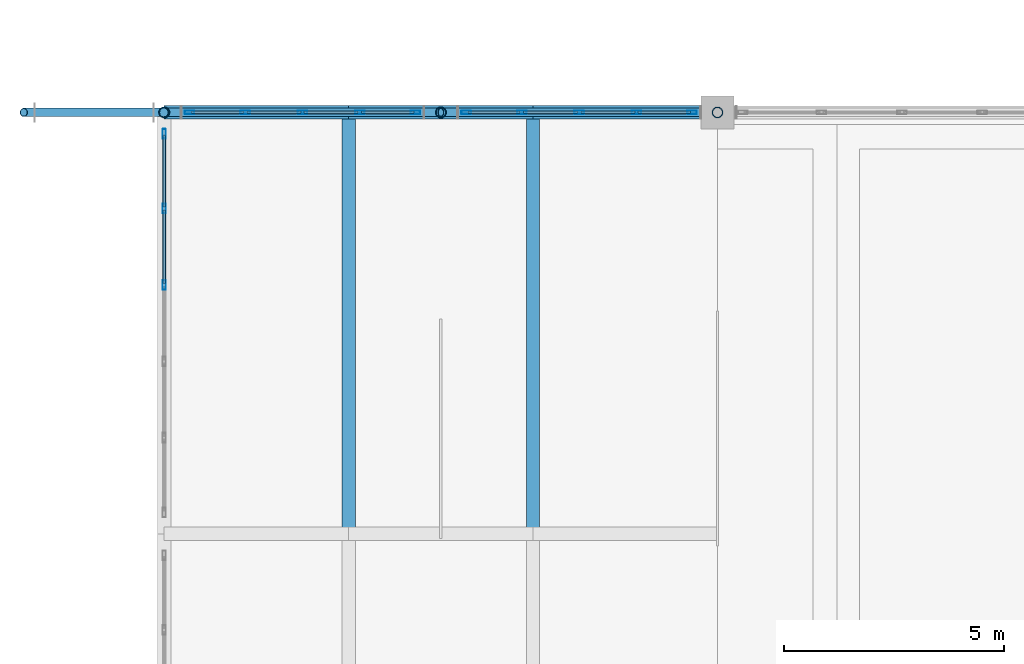
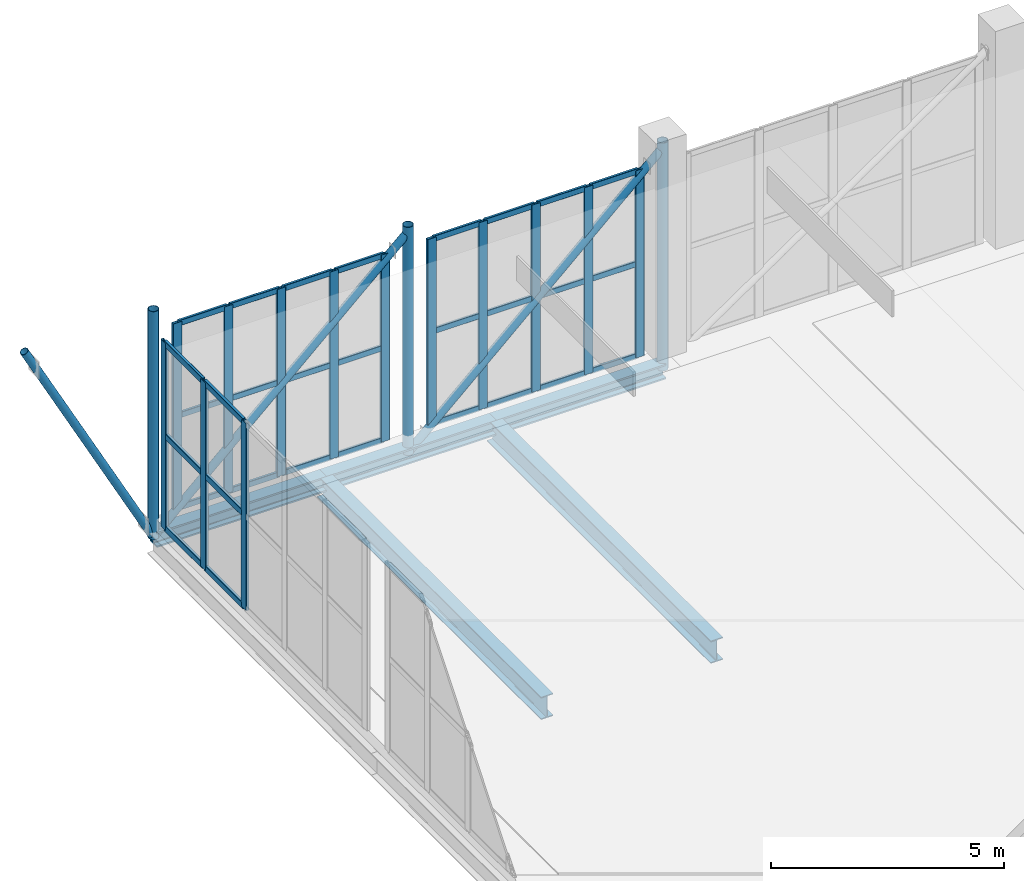
# One storey, part 11 of 49: 52 members, 2 beams, 3 elements without a shape of their own.
"""IFC4 building model written with IfcOpenShell, lengths in metres."""

from ifc_helpers import new_model, si_unit, direction, frame, origin, origin_2d, place, context, subcontext, project, spatial, hollow_rectangle, hollow_circle, i_section, extrude, material, layer, layer_set, material_profile, profile_set, type_object, element, aggregate, save


model = new_model("IFC4")

# Units and contexts
model_context = context("Model", 3, precision=1e-05, world=origin(), true_north=direction((0.0, 1.0)))
body_context = subcontext(model_context, "Body", "Model", "MODEL_VIEW")
ifc_project = project(units=[si_unit("LENGTHUNIT", "METRE"), si_unit("AREAUNIT", "SQUARE_METRE"), si_unit("VOLUMEUNIT", "CUBIC_METRE"), si_unit("PLANEANGLEUNIT", "RADIAN"), si_unit("MASSUNIT", "GRAM", prefix="KILO")], contexts=[model_context])

# Site, building, storey
site_placement = place(None, origin())
site = spatial("IfcSite", under=ifc_project, at=site_placement, CompositionType="ELEMENT")
building_placement = place(site_placement, origin())
building = spatial("IfcBuilding", under=site, at=building_placement, Name="Zulmaris Art Gallery", CompositionType="ELEMENT")
storey_placement = place(building_placement, frame((0.0, 0.0, 20.699951171875)))
storey = spatial("IfcBuildingStorey", under=building, at=storey_placement, Name="L04", CompositionType="ELEMENT", Elevation=20.699951171875)

# Beams
ifc_material_1 = material(Name="Steel S355J2", Category="steel")
ifc_material_profile_1 = material_profile(ifc_material_1, i_section(OverallWidth=0.300048828125, OverallDepth=0.590087890625, WebThickness=0.012939453125, FlangeThickness=0.02490234375, FilletRadius=0.027099609375, at=origin_2d()), Name="HEA 600")
ifc_profile_set_1 = profile_set([ifc_material_profile_1], Name="Steel S355J2")
beam_type = type_object("IfcBeamType", Name="BEAM-BM12", PredefinedType="BEAM", material=ifc_profile_set_1)
for number, where, z_axis, x_axis, name in (
    (1, (15.60009765625, 40.800048828125, -0.614990234375), (0.0, 1.0, 0.0), (-1.0, 0.0, 0.0), "L04 cantilever transverse girder at x=15.6"),
    (2, (19.800048828125, 40.800048828125, -0.614990234375), (0.0, 1.0, 0.0), (-1.0, 0.0, 0.0), "L04 cantilever transverse girder at x=19.8"),
):
    element("IfcBeam", number, at=place(storey_placement, frame(where, z_axis=z_axis, x_axis=x_axis)), inside=storey, type_object=beam_type, Name=name, PredefinedType="BEAM", context=body_context, shape_type="SweptSolid", body=[
        extrude(i_section(OverallWidth=0.300048828125, OverallDepth=0.590087890625, WebThickness=0.012939453125, FlangeThickness=0.02490234375, FilletRadius=0.027099609375, at=origin_2d()), origin(), (0.0, 0.0, 1.0), 9.599853515625),
    ])

# Curtain wall, members
ifc_material_2 = material(Name="Unitised Low-E Gallery Curtain Wall", Category="aluminium")
ifc_layer_1 = layer(ifc_material_2, 0.179931640625)
ifc_layer_set_1 = layer_set([ifc_layer_1], Name="Unitised Low-E Gallery Curtain Wall")
curtain_wall_type_1 = type_object("IfcCurtainWallType", Name="CW-CW01", PredefinedType="NOTDEFINED", material=ifc_layer_set_1)
curtain_wall_1_placement = place(storey_placement, origin())
curtain_wall_1 = element("IfcCurtainWall", 3, at=curtain_wall_1_placement, inside=storey, type_object=curtain_wall_type_1, Name="L04 curtain wall 20", PredefinedType="NOTDEFINED")
ifc_material_3 = material(Name="Anodised Bronze Aluminium", Category="aluminium")
ifc_material_profile_2 = material_profile(ifc_material_3, hollow_rectangle(XDim=0.074951171875, YDim=0.219970703125, WallThickness=0.0048828125, InnerFilletRadius=0.007568359375, OuterFilletRadius=0.012451171875, at=origin_2d()), Name="ALU 75x220x5")
ifc_profile_set_2 = profile_set([ifc_material_profile_2], Name="Anodised Bronze Aluminium")
member_type_1 = type_object("IfcMemberType", Name="CWMUL-02", PredefinedType="MULLION", material=ifc_profile_set_2)
member_1_placement = place(storey_placement, frame((17.12255859375, 50.39990234375, 0.0), z_axis=(0.0, 0.0, 1.0), x_axis=(0.0, -1.0, 0.0)))
member_1 = element("IfcMember", 4, at=member_1_placement, type_object=member_type_1, Name="CW01 mullion 1", PredefinedType="MULLION", context=body_context, shape_type="SweptSolid", body=[
    extrude(hollow_rectangle(XDim=0.074951171875, YDim=0.219970703125, WallThickness=0.0048828125, InnerFilletRadius=0.007568359375, OuterFilletRadius=0.012451171875, at=origin_2d()), origin(), (0.0, 0.0, 1.0), 4.900146484375),
])
member_2_placement = place(storey_placement, frame((15.85498046875, 50.39990234375, 0.0), z_axis=(0.0, 0.0, 1.0), x_axis=(0.0, -1.0, 0.0)))
member_2 = element("IfcMember", 5, at=member_2_placement, type_object=member_type_1, Name="CW01 mullion 2", PredefinedType="MULLION", context=body_context, shape_type="SweptSolid", body=[
    extrude(hollow_rectangle(XDim=0.074951171875, YDim=0.219970703125, WallThickness=0.0048828125, InnerFilletRadius=0.007568359375, OuterFilletRadius=0.012451171875, at=origin_2d()), origin(), (0.0, 0.0, 1.0), 4.900146484375),
])
member_3_placement = place(storey_placement, frame((14.550048828125, 50.39990234375, 0.0), z_axis=(0.0, 0.0, 1.0), x_axis=(0.0, -1.0, 0.0)))
member_3 = element("IfcMember", 6, at=member_3_placement, type_object=member_type_1, Name="CW01 mullion 3", PredefinedType="MULLION", context=body_context, shape_type="SweptSolid", body=[
    extrude(hollow_rectangle(XDim=0.074951171875, YDim=0.219970703125, WallThickness=0.0048828125, InnerFilletRadius=0.007568359375, OuterFilletRadius=0.012451171875, at=origin_2d()), origin(), (0.0, 0.0, 1.0), 4.900146484375),
])
member_4_placement = place(storey_placement, frame((13.2451171875, 50.39990234375, 0.0), z_axis=(0.0, 0.0, 1.0), x_axis=(0.0, -1.0, 0.0)))
member_4 = element("IfcMember", 7, at=member_4_placement, type_object=member_type_1, Name="CW01 mullion 4", PredefinedType="MULLION", context=body_context, shape_type="SweptSolid", body=[
    extrude(hollow_rectangle(XDim=0.074951171875, YDim=0.219970703125, WallThickness=0.0048828125, InnerFilletRadius=0.007568359375, OuterFilletRadius=0.012451171875, at=origin_2d()), origin(), (0.0, 0.0, 1.0), 4.900146484375),
])
member_5_placement = place(storey_placement, frame((11.9775390625, 50.39990234375, 0.0), z_axis=(0.0, 0.0, 1.0), x_axis=(0.0, -1.0, 0.0)))
member_5 = element("IfcMember", 8, at=member_5_placement, type_object=member_type_1, Name="CW01 mullion 5", PredefinedType="MULLION", context=body_context, shape_type="SweptSolid", body=[
    extrude(hollow_rectangle(XDim=0.074951171875, YDim=0.219970703125, WallThickness=0.0048828125, InnerFilletRadius=0.007568359375, OuterFilletRadius=0.012451171875, at=origin_2d()), origin(), (0.0, 0.0, 1.0), 4.900146484375),
])

curtain_wall_2_placement = place(storey_placement, origin())
curtain_wall_2 = element("IfcCurtainWall", 9, at=curtain_wall_2_placement, inside=storey, type_object=curtain_wall_type_1, Name="L04 curtain wall 22", PredefinedType="NOTDEFINED")
member_6_placement = place(storey_placement, frame((23.422607421875, 50.39990234375, 0.0), z_axis=(0.0, 0.0, 1.0), x_axis=(0.0, -1.0, 0.0)))
member_6 = element("IfcMember", 10, at=member_6_placement, type_object=member_type_1, Name="CW01 mullion 1", PredefinedType="MULLION", context=body_context, shape_type="SweptSolid", body=[
    extrude(hollow_rectangle(XDim=0.074951171875, YDim=0.219970703125, WallThickness=0.0048828125, InnerFilletRadius=0.007568359375, OuterFilletRadius=0.012451171875, at=origin_2d()), origin(), (0.0, 0.0, 1.0), 4.900146484375),
])
member_7_placement = place(storey_placement, frame((22.155029296875, 50.39990234375, 0.0), z_axis=(0.0, 0.0, 1.0), x_axis=(0.0, -1.0, 0.0)))
member_7 = element("IfcMember", 11, at=member_7_placement, type_object=member_type_1, Name="CW01 mullion 2", PredefinedType="MULLION", context=body_context, shape_type="SweptSolid", body=[
    extrude(hollow_rectangle(XDim=0.074951171875, YDim=0.219970703125, WallThickness=0.0048828125, InnerFilletRadius=0.007568359375, OuterFilletRadius=0.012451171875, at=origin_2d()), origin(), (0.0, 0.0, 1.0), 4.900146484375),
])
member_8_placement = place(storey_placement, frame((20.85009765625, 50.39990234375, 0.0), z_axis=(0.0, 0.0, 1.0), x_axis=(0.0, -1.0, 0.0)))
member_8 = element("IfcMember", 12, at=member_8_placement, type_object=member_type_1, Name="CW01 mullion 3", PredefinedType="MULLION", context=body_context, shape_type="SweptSolid", body=[
    extrude(hollow_rectangle(XDim=0.074951171875, YDim=0.219970703125, WallThickness=0.0048828125, InnerFilletRadius=0.007568359375, OuterFilletRadius=0.012451171875, at=origin_2d()), origin(), (0.0, 0.0, 1.0), 4.900146484375),
])
member_9_placement = place(storey_placement, frame((19.544921875, 50.39990234375, 0.0), z_axis=(0.0, 0.0, 1.0), x_axis=(0.0, -1.0, 0.0)))
member_9 = element("IfcMember", 13, at=member_9_placement, type_object=member_type_1, Name="CW01 mullion 4", PredefinedType="MULLION", context=body_context, shape_type="SweptSolid", body=[
    extrude(hollow_rectangle(XDim=0.074951171875, YDim=0.219970703125, WallThickness=0.0048828125, InnerFilletRadius=0.007568359375, OuterFilletRadius=0.012451171875, at=origin_2d()), origin(), (0.0, 0.0, 1.0), 4.900146484375),
])
member_10_placement = place(storey_placement, frame((18.277587890625, 50.39990234375, 0.0), z_axis=(0.0, 0.0, 1.0), x_axis=(0.0, -1.0, 0.0)))
member_10 = element("IfcMember", 14, at=member_10_placement, type_object=member_type_1, Name="CW01 mullion 5", PredefinedType="MULLION", context=body_context, shape_type="SweptSolid", body=[
    extrude(hollow_rectangle(XDim=0.074951171875, YDim=0.219970703125, WallThickness=0.0048828125, InnerFilletRadius=0.007568359375, OuterFilletRadius=0.012451171875, at=origin_2d()), origin(), (0.0, 0.0, 1.0), 4.900146484375),
])

ifc_material_4 = material(Name="Belvedere Horizon Glazed Curtain Wall", Category="aluminium")
ifc_layer_2 = layer(ifc_material_4, 0.179931640625)
ifc_layer_set_2 = layer_set([ifc_layer_2], Name="Belvedere Horizon Glazed Curtain Wall")
curtain_wall_type_2 = type_object("IfcCurtainWallType", Name="CW-CW02", PredefinedType="NOTDEFINED", material=ifc_layer_set_2)
curtain_wall_3_placement = place(storey_placement, origin())
curtain_wall_3 = element("IfcCurtainWall", 15, at=curtain_wall_3_placement, inside=storey, type_object=curtain_wall_type_2, Name="L04 curtain wall 37", PredefinedType="NOTDEFINED")
member_11_placement = place(storey_placement, frame((11.39990234375, 46.469970703125, 0.0), z_axis=(0.0, 0.0, 1.0), x_axis=(-1.0, 0.0, 0.0)))
member_11 = element("IfcMember", 16, at=member_11_placement, type_object=member_type_1, Name="CW02 mullion 4", PredefinedType="MULLION", context=body_context, shape_type="SweptSolid", body=[
    extrude(hollow_rectangle(XDim=0.074951171875, YDim=0.219970703125, WallThickness=0.0048828125, InnerFilletRadius=0.007568359375, OuterFilletRadius=0.012451171875, at=origin_2d()), origin(), (0.0, 0.0, 1.0), 4.900146484375),
])
member_12_placement = place(storey_placement, frame((11.39990234375, 48.2099609375, 0.0), z_axis=(0.0, 0.0, 1.0), x_axis=(-1.0, 0.0, 0.0)))
member_12 = element("IfcMember", 17, at=member_12_placement, type_object=member_type_1, Name="CW02 mullion 5", PredefinedType="MULLION", context=body_context, shape_type="SweptSolid", body=[
    extrude(hollow_rectangle(XDim=0.074951171875, YDim=0.219970703125, WallThickness=0.0048828125, InnerFilletRadius=0.007568359375, OuterFilletRadius=0.012451171875, at=origin_2d()), origin(), (0.0, 0.0, 1.0), 4.900146484375),
])
member_13_placement = place(storey_placement, frame((11.39990234375, 49.91259765625, 0.0), z_axis=(0.0, 0.0, 1.0), x_axis=(-1.0, 0.0, 0.0)))
member_13 = element("IfcMember", 18, at=member_13_placement, type_object=member_type_1, Name="CW02 mullion 6", PredefinedType="MULLION", context=body_context, shape_type="SweptSolid", body=[
    extrude(hollow_rectangle(XDim=0.074951171875, YDim=0.219970703125, WallThickness=0.0048828125, InnerFilletRadius=0.007568359375, OuterFilletRadius=0.012451171875, at=origin_2d()), origin(), (0.0, 0.0, 1.0), 4.900146484375),
])

# Member
ifc_material_profile_3 = material_profile(ifc_material_3, hollow_rectangle(XDim=0.06494140625, YDim=0.14990234375, WallThickness=0.00390625, InnerFilletRadius=0.006103515625, OuterFilletRadius=0.010009765625, at=origin_2d()), Name="ALU 65x150x4")
ifc_profile_set_3 = profile_set([ifc_material_profile_3], Name="Anodised Bronze Aluminium")
member_type_2 = type_object("IfcMemberType", Name="CWTRN-01", PredefinedType="USERDEFINED", material=ifc_profile_set_3)
member_14_placement = place(storey_placement, frame((17.0849609375, 50.39990234375, 0.03759765625), z_axis=(-1.0, 0.0, 0.0), x_axis=(0.0, -1.0, 0.0)))
member_14 = element("IfcMember", 19, at=member_14_placement, type_object=member_type_2, Name="CW01 transom 1.1", ObjectType="TRANSOM", PredefinedType="USERDEFINED", context=body_context, shape_type="SweptSolid", body=[
    extrude(hollow_rectangle(XDim=0.06494140625, YDim=0.14990234375, WallThickness=0.00390625, InnerFilletRadius=0.006103515625, OuterFilletRadius=0.010009765625, at=origin_2d()), origin(), (0.0, 0.0, 1.0), 1.1923828125),
])

member_15_placement = place(storey_placement, frame((17.0849609375, 50.39990234375, 2.449951171875), z_axis=(-1.0, 0.0, 0.0), x_axis=(0.0, -1.0, 0.0)))
member_15 = element("IfcMember", 20, at=member_15_placement, type_object=member_type_2, Name="CW01 transom 1.2", ObjectType="TRANSOM", PredefinedType="USERDEFINED", context=body_context, shape_type="SweptSolid", body=[
    extrude(hollow_rectangle(XDim=0.06494140625, YDim=0.14990234375, WallThickness=0.00390625, InnerFilletRadius=0.006103515625, OuterFilletRadius=0.010009765625, at=origin_2d()), origin(), (0.0, 0.0, 1.0), 1.1923828125),
])

member_16_placement = place(storey_placement, frame((17.0849609375, 50.39990234375, 4.862548828125), z_axis=(-1.0, 0.0, 0.0), x_axis=(0.0, -1.0, 0.0)))
member_16 = element("IfcMember", 21, at=member_16_placement, type_object=member_type_2, Name="CW01 transom 1.3", ObjectType="TRANSOM", PredefinedType="USERDEFINED", context=body_context, shape_type="SweptSolid", body=[
    extrude(hollow_rectangle(XDim=0.06494140625, YDim=0.14990234375, WallThickness=0.00390625, InnerFilletRadius=0.006103515625, OuterFilletRadius=0.010009765625, at=origin_2d()), origin(), (0.0, 0.0, 1.0), 1.1923828125),
])

member_17_placement = place(storey_placement, frame((15.8173828125, 50.39990234375, 0.03759765625), z_axis=(-1.0, 0.0, 0.0), x_axis=(0.0, -1.0, 0.0)))
member_17 = element("IfcMember", 22, at=member_17_placement, type_object=member_type_2, Name="CW01 transom 2.1", ObjectType="TRANSOM", PredefinedType="USERDEFINED", context=body_context, shape_type="SweptSolid", body=[
    extrude(hollow_rectangle(XDim=0.06494140625, YDim=0.14990234375, WallThickness=0.00390625, InnerFilletRadius=0.006103515625, OuterFilletRadius=0.010009765625, at=origin_2d()), origin(), (0.0, 0.0, 1.0), 1.22998046875),
])

member_18_placement = place(storey_placement, frame((15.8173828125, 50.39990234375, 2.449951171875), z_axis=(-1.0, 0.0, 0.0), x_axis=(0.0, -1.0, 0.0)))
member_18 = element("IfcMember", 23, at=member_18_placement, type_object=member_type_2, Name="CW01 transom 2.2", ObjectType="TRANSOM", PredefinedType="USERDEFINED", context=body_context, shape_type="SweptSolid", body=[
    extrude(hollow_rectangle(XDim=0.06494140625, YDim=0.14990234375, WallThickness=0.00390625, InnerFilletRadius=0.006103515625, OuterFilletRadius=0.010009765625, at=origin_2d()), origin(), (0.0, 0.0, 1.0), 1.22998046875),
])

member_19_placement = place(storey_placement, frame((15.8173828125, 50.39990234375, 4.862548828125), z_axis=(-1.0, 0.0, 0.0), x_axis=(0.0, -1.0, 0.0)))
member_19 = element("IfcMember", 24, at=member_19_placement, type_object=member_type_2, Name="CW01 transom 2.3", ObjectType="TRANSOM", PredefinedType="USERDEFINED", context=body_context, shape_type="SweptSolid", body=[
    extrude(hollow_rectangle(XDim=0.06494140625, YDim=0.14990234375, WallThickness=0.00390625, InnerFilletRadius=0.006103515625, OuterFilletRadius=0.010009765625, at=origin_2d()), origin(), (0.0, 0.0, 1.0), 1.22998046875),
])

member_20_placement = place(storey_placement, frame((14.512451171875, 50.39990234375, 0.03759765625), z_axis=(-1.0, 0.0, 0.0), x_axis=(0.0, -1.0, 0.0)))
member_20 = element("IfcMember", 25, at=member_20_placement, type_object=member_type_2, Name="CW01 transom 3.1", ObjectType="TRANSOM", PredefinedType="USERDEFINED", context=body_context, shape_type="SweptSolid", body=[
    extrude(hollow_rectangle(XDim=0.06494140625, YDim=0.14990234375, WallThickness=0.00390625, InnerFilletRadius=0.006103515625, OuterFilletRadius=0.010009765625, at=origin_2d()), origin(), (0.0, 0.0, 1.0), 1.22998046875),
])

member_21_placement = place(storey_placement, frame((14.512451171875, 50.39990234375, 2.449951171875), z_axis=(-1.0, 0.0, 0.0), x_axis=(0.0, -1.0, 0.0)))
member_21 = element("IfcMember", 26, at=member_21_placement, type_object=member_type_2, Name="CW01 transom 3.2", ObjectType="TRANSOM", PredefinedType="USERDEFINED", context=body_context, shape_type="SweptSolid", body=[
    extrude(hollow_rectangle(XDim=0.06494140625, YDim=0.14990234375, WallThickness=0.00390625, InnerFilletRadius=0.006103515625, OuterFilletRadius=0.010009765625, at=origin_2d()), origin(), (0.0, 0.0, 1.0), 1.22998046875),
])

member_22_placement = place(storey_placement, frame((14.512451171875, 50.39990234375, 4.862548828125), z_axis=(-1.0, 0.0, 0.0), x_axis=(0.0, -1.0, 0.0)))
member_22 = element("IfcMember", 27, at=member_22_placement, type_object=member_type_2, Name="CW01 transom 3.3", ObjectType="TRANSOM", PredefinedType="USERDEFINED", context=body_context, shape_type="SweptSolid", body=[
    extrude(hollow_rectangle(XDim=0.06494140625, YDim=0.14990234375, WallThickness=0.00390625, InnerFilletRadius=0.006103515625, OuterFilletRadius=0.010009765625, at=origin_2d()), origin(), (0.0, 0.0, 1.0), 1.22998046875),
])

member_23_placement = place(storey_placement, frame((13.20751953125, 50.39990234375, 0.03759765625), z_axis=(-1.0, 0.0, 0.0), x_axis=(0.0, -1.0, 0.0)))
member_23 = element("IfcMember", 28, at=member_23_placement, type_object=member_type_2, Name="CW01 transom 4.1", ObjectType="TRANSOM", PredefinedType="USERDEFINED", context=body_context, shape_type="SweptSolid", body=[
    extrude(hollow_rectangle(XDim=0.06494140625, YDim=0.14990234375, WallThickness=0.00390625, InnerFilletRadius=0.006103515625, OuterFilletRadius=0.010009765625, at=origin_2d()), origin(), (0.0, 0.0, 1.0), 1.192626953125),
])

member_24_placement = place(storey_placement, frame((13.20751953125, 50.39990234375, 2.449951171875), z_axis=(-1.0, 0.0, 0.0), x_axis=(0.0, -1.0, 0.0)))
member_24 = element("IfcMember", 29, at=member_24_placement, type_object=member_type_2, Name="CW01 transom 4.2", ObjectType="TRANSOM", PredefinedType="USERDEFINED", context=body_context, shape_type="SweptSolid", body=[
    extrude(hollow_rectangle(XDim=0.06494140625, YDim=0.14990234375, WallThickness=0.00390625, InnerFilletRadius=0.006103515625, OuterFilletRadius=0.010009765625, at=origin_2d()), origin(), (0.0, 0.0, 1.0), 1.192626953125),
])

member_25_placement = place(storey_placement, frame((13.20751953125, 50.39990234375, 4.862548828125), z_axis=(-1.0, 0.0, 0.0), x_axis=(0.0, -1.0, 0.0)))
member_25 = element("IfcMember", 30, at=member_25_placement, type_object=member_type_2, Name="CW01 transom 4.3", ObjectType="TRANSOM", PredefinedType="USERDEFINED", context=body_context, shape_type="SweptSolid", body=[
    extrude(hollow_rectangle(XDim=0.06494140625, YDim=0.14990234375, WallThickness=0.00390625, InnerFilletRadius=0.006103515625, OuterFilletRadius=0.010009765625, at=origin_2d()), origin(), (0.0, 0.0, 1.0), 1.192626953125),
])

aggregate(curtain_wall_1, [member_1, member_2, member_3, member_4, member_5, member_14, member_15, member_16, member_17, member_18, member_19, member_20, member_21, member_22, member_23, member_24, member_25])

member_26_placement = place(storey_placement, frame((23.385009765625, 50.39990234375, 0.03759765625), z_axis=(-1.0, 0.0, 0.0), x_axis=(0.0, -1.0, 0.0)))
member_26 = element("IfcMember", 31, at=member_26_placement, type_object=member_type_2, Name="CW01 transom 1.1", ObjectType="TRANSOM", PredefinedType="USERDEFINED", context=body_context, shape_type="SweptSolid", body=[
    extrude(hollow_rectangle(XDim=0.06494140625, YDim=0.14990234375, WallThickness=0.00390625, InnerFilletRadius=0.006103515625, OuterFilletRadius=0.010009765625, at=origin_2d()), origin(), (0.0, 0.0, 1.0), 1.192626953125),
])

member_27_placement = place(storey_placement, frame((23.385009765625, 50.39990234375, 2.449951171875), z_axis=(-1.0, 0.0, 0.0), x_axis=(0.0, -1.0, 0.0)))
member_27 = element("IfcMember", 32, at=member_27_placement, type_object=member_type_2, Name="CW01 transom 1.2", ObjectType="TRANSOM", PredefinedType="USERDEFINED", context=body_context, shape_type="SweptSolid", body=[
    extrude(hollow_rectangle(XDim=0.06494140625, YDim=0.14990234375, WallThickness=0.00390625, InnerFilletRadius=0.006103515625, OuterFilletRadius=0.010009765625, at=origin_2d()), origin(), (0.0, 0.0, 1.0), 1.192626953125),
])

member_28_placement = place(storey_placement, frame((23.385009765625, 50.39990234375, 4.862548828125), z_axis=(-1.0, 0.0, 0.0), x_axis=(0.0, -1.0, 0.0)))
member_28 = element("IfcMember", 33, at=member_28_placement, type_object=member_type_2, Name="CW01 transom 1.3", ObjectType="TRANSOM", PredefinedType="USERDEFINED", context=body_context, shape_type="SweptSolid", body=[
    extrude(hollow_rectangle(XDim=0.06494140625, YDim=0.14990234375, WallThickness=0.00390625, InnerFilletRadius=0.006103515625, OuterFilletRadius=0.010009765625, at=origin_2d()), origin(), (0.0, 0.0, 1.0), 1.192626953125),
])

member_29_placement = place(storey_placement, frame((22.117431640625, 50.39990234375, 0.03759765625), z_axis=(-1.0, 0.0, 0.0), x_axis=(0.0, -1.0, 0.0)))
member_29 = element("IfcMember", 34, at=member_29_placement, type_object=member_type_2, Name="CW01 transom 2.1", ObjectType="TRANSOM", PredefinedType="USERDEFINED", context=body_context, shape_type="SweptSolid", body=[
    extrude(hollow_rectangle(XDim=0.06494140625, YDim=0.14990234375, WallThickness=0.00390625, InnerFilletRadius=0.006103515625, OuterFilletRadius=0.010009765625, at=origin_2d()), origin(), (0.0, 0.0, 1.0), 1.22998046875),
])

member_30_placement = place(storey_placement, frame((22.117431640625, 50.39990234375, 2.449951171875), z_axis=(-1.0, 0.0, 0.0), x_axis=(0.0, -1.0, 0.0)))
member_30 = element("IfcMember", 35, at=member_30_placement, type_object=member_type_2, Name="CW01 transom 2.2", ObjectType="TRANSOM", PredefinedType="USERDEFINED", context=body_context, shape_type="SweptSolid", body=[
    extrude(hollow_rectangle(XDim=0.06494140625, YDim=0.14990234375, WallThickness=0.00390625, InnerFilletRadius=0.006103515625, OuterFilletRadius=0.010009765625, at=origin_2d()), origin(), (0.0, 0.0, 1.0), 1.22998046875),
])

member_31_placement = place(storey_placement, frame((22.117431640625, 50.39990234375, 4.862548828125), z_axis=(-1.0, 0.0, 0.0), x_axis=(0.0, -1.0, 0.0)))
member_31 = element("IfcMember", 36, at=member_31_placement, type_object=member_type_2, Name="CW01 transom 2.3", ObjectType="TRANSOM", PredefinedType="USERDEFINED", context=body_context, shape_type="SweptSolid", body=[
    extrude(hollow_rectangle(XDim=0.06494140625, YDim=0.14990234375, WallThickness=0.00390625, InnerFilletRadius=0.006103515625, OuterFilletRadius=0.010009765625, at=origin_2d()), origin(), (0.0, 0.0, 1.0), 1.22998046875),
])

member_32_placement = place(storey_placement, frame((20.8125, 50.39990234375, 0.03759765625), z_axis=(-1.0, 0.0, 0.0), x_axis=(0.0, -1.0, 0.0)))
member_32 = element("IfcMember", 37, at=member_32_placement, type_object=member_type_2, Name="CW01 transom 3.1", ObjectType="TRANSOM", PredefinedType="USERDEFINED", context=body_context, shape_type="SweptSolid", body=[
    extrude(hollow_rectangle(XDim=0.06494140625, YDim=0.14990234375, WallThickness=0.00390625, InnerFilletRadius=0.006103515625, OuterFilletRadius=0.010009765625, at=origin_2d()), origin(), (0.0, 0.0, 1.0), 1.22998046875),
])

member_33_placement = place(storey_placement, frame((20.8125, 50.39990234375, 2.449951171875), z_axis=(-1.0, 0.0, 0.0), x_axis=(0.0, -1.0, 0.0)))
member_33 = element("IfcMember", 38, at=member_33_placement, type_object=member_type_2, Name="CW01 transom 3.2", ObjectType="TRANSOM", PredefinedType="USERDEFINED", context=body_context, shape_type="SweptSolid", body=[
    extrude(hollow_rectangle(XDim=0.06494140625, YDim=0.14990234375, WallThickness=0.00390625, InnerFilletRadius=0.006103515625, OuterFilletRadius=0.010009765625, at=origin_2d()), origin(), (0.0, 0.0, 1.0), 1.22998046875),
])

member_34_placement = place(storey_placement, frame((20.8125, 50.39990234375, 4.862548828125), z_axis=(-1.0, 0.0, 0.0), x_axis=(0.0, -1.0, 0.0)))
member_34 = element("IfcMember", 39, at=member_34_placement, type_object=member_type_2, Name="CW01 transom 3.3", ObjectType="TRANSOM", PredefinedType="USERDEFINED", context=body_context, shape_type="SweptSolid", body=[
    extrude(hollow_rectangle(XDim=0.06494140625, YDim=0.14990234375, WallThickness=0.00390625, InnerFilletRadius=0.006103515625, OuterFilletRadius=0.010009765625, at=origin_2d()), origin(), (0.0, 0.0, 1.0), 1.22998046875),
])

member_35_placement = place(storey_placement, frame((19.507568359375, 50.39990234375, 0.03759765625), z_axis=(-1.0, 0.0, 0.0), x_axis=(0.0, -1.0, 0.0)))
member_35 = element("IfcMember", 40, at=member_35_placement, type_object=member_type_2, Name="CW01 transom 4.1", ObjectType="TRANSOM", PredefinedType="USERDEFINED", context=body_context, shape_type="SweptSolid", body=[
    extrude(hollow_rectangle(XDim=0.06494140625, YDim=0.14990234375, WallThickness=0.00390625, InnerFilletRadius=0.006103515625, OuterFilletRadius=0.010009765625, at=origin_2d()), origin(), (0.0, 0.0, 1.0), 1.192626953125),
])

member_36_placement = place(storey_placement, frame((19.507568359375, 50.39990234375, 2.449951171875), z_axis=(-1.0, 0.0, 0.0), x_axis=(0.0, -1.0, 0.0)))
member_36 = element("IfcMember", 41, at=member_36_placement, type_object=member_type_2, Name="CW01 transom 4.2", ObjectType="TRANSOM", PredefinedType="USERDEFINED", context=body_context, shape_type="SweptSolid", body=[
    extrude(hollow_rectangle(XDim=0.06494140625, YDim=0.14990234375, WallThickness=0.00390625, InnerFilletRadius=0.006103515625, OuterFilletRadius=0.010009765625, at=origin_2d()), origin(), (0.0, 0.0, 1.0), 1.192626953125),
])

member_37_placement = place(storey_placement, frame((19.507568359375, 50.39990234375, 4.862548828125), z_axis=(-1.0, 0.0, 0.0), x_axis=(0.0, -1.0, 0.0)))
member_37 = element("IfcMember", 42, at=member_37_placement, type_object=member_type_2, Name="CW01 transom 4.3", ObjectType="TRANSOM", PredefinedType="USERDEFINED", context=body_context, shape_type="SweptSolid", body=[
    extrude(hollow_rectangle(XDim=0.06494140625, YDim=0.14990234375, WallThickness=0.00390625, InnerFilletRadius=0.006103515625, OuterFilletRadius=0.010009765625, at=origin_2d()), origin(), (0.0, 0.0, 1.0), 1.192626953125),
])

aggregate(curtain_wall_2, [member_6, member_7, member_8, member_9, member_10, member_26, member_27, member_28, member_29, member_30, member_31, member_32, member_33, member_34, member_35, member_36, member_37])

ifc_material_profile_4 = material_profile(ifc_material_3, hollow_rectangle(XDim=0.074951171875, YDim=0.159912109375, WallThickness=0.00390625, InnerFilletRadius=0.006103515625, OuterFilletRadius=0.010009765625, at=origin_2d()), Name="ALU 75x160x4")
ifc_profile_set_4 = profile_set([ifc_material_profile_4], Name="Anodised Bronze Aluminium")
member_type_3 = type_object("IfcMemberType", Name="CWTRN-02", PredefinedType="USERDEFINED", material=ifc_profile_set_4)
member_38_placement = place(storey_placement, frame((11.39990234375, 46.507568359375, 0.03759765625), z_axis=(0.0, 1.0, 0.0), x_axis=(-1.0, 0.0, 0.0)))
member_38 = element("IfcMember", 43, at=member_38_placement, type_object=member_type_3, Name="CW02 transom 4.1", ObjectType="TRANSOM", PredefinedType="USERDEFINED", context=body_context, shape_type="SweptSolid", body=[
    extrude(hollow_rectangle(XDim=0.074951171875, YDim=0.159912109375, WallThickness=0.00390625, InnerFilletRadius=0.006103515625, OuterFilletRadius=0.010009765625, at=origin_2d()), origin(), (0.0, 0.0, 1.0), 1.6650390625),
])

member_39_placement = place(storey_placement, frame((11.39990234375, 46.507568359375, 2.449951171875), z_axis=(0.0, 1.0, 0.0), x_axis=(-1.0, 0.0, 0.0)))
member_39 = element("IfcMember", 44, at=member_39_placement, type_object=member_type_3, Name="CW02 transom 4.2", ObjectType="TRANSOM", PredefinedType="USERDEFINED", context=body_context, shape_type="SweptSolid", body=[
    extrude(hollow_rectangle(XDim=0.074951171875, YDim=0.159912109375, WallThickness=0.00390625, InnerFilletRadius=0.006103515625, OuterFilletRadius=0.010009765625, at=origin_2d()), origin(), (0.0, 0.0, 1.0), 1.6650390625),
])

member_40_placement = place(storey_placement, frame((11.39990234375, 46.507568359375, 4.862548828125), z_axis=(0.0, 1.0, 0.0), x_axis=(-1.0, 0.0, 0.0)))
member_40 = element("IfcMember", 45, at=member_40_placement, type_object=member_type_3, Name="CW02 transom 4.3", ObjectType="TRANSOM", PredefinedType="USERDEFINED", context=body_context, shape_type="SweptSolid", body=[
    extrude(hollow_rectangle(XDim=0.074951171875, YDim=0.159912109375, WallThickness=0.00390625, InnerFilletRadius=0.006103515625, OuterFilletRadius=0.010009765625, at=origin_2d()), origin(), (0.0, 0.0, 1.0), 1.6650390625),
])

member_41_placement = place(storey_placement, frame((11.39990234375, 48.24755859375, 0.03759765625), z_axis=(0.0, 1.0, 0.0), x_axis=(-1.0, 0.0, 0.0)))
member_41 = element("IfcMember", 46, at=member_41_placement, type_object=member_type_3, Name="CW02 transom 5.1", ObjectType="TRANSOM", PredefinedType="USERDEFINED", context=body_context, shape_type="SweptSolid", body=[
    extrude(hollow_rectangle(XDim=0.074951171875, YDim=0.159912109375, WallThickness=0.00390625, InnerFilletRadius=0.006103515625, OuterFilletRadius=0.010009765625, at=origin_2d()), origin(), (0.0, 0.0, 1.0), 1.62744140625),
])

member_42_placement = place(storey_placement, frame((11.39990234375, 48.24755859375, 2.449951171875), z_axis=(0.0, 1.0, 0.0), x_axis=(-1.0, 0.0, 0.0)))
member_42 = element("IfcMember", 47, at=member_42_placement, type_object=member_type_3, Name="CW02 transom 5.2", ObjectType="TRANSOM", PredefinedType="USERDEFINED", context=body_context, shape_type="SweptSolid", body=[
    extrude(hollow_rectangle(XDim=0.074951171875, YDim=0.159912109375, WallThickness=0.00390625, InnerFilletRadius=0.006103515625, OuterFilletRadius=0.010009765625, at=origin_2d()), origin(), (0.0, 0.0, 1.0), 1.62744140625),
])

member_43_placement = place(storey_placement, frame((11.39990234375, 48.24755859375, 4.862548828125), z_axis=(0.0, 1.0, 0.0), x_axis=(-1.0, 0.0, 0.0)))
member_43 = element("IfcMember", 48, at=member_43_placement, type_object=member_type_3, Name="CW02 transom 5.3", ObjectType="TRANSOM", PredefinedType="USERDEFINED", context=body_context, shape_type="SweptSolid", body=[
    extrude(hollow_rectangle(XDim=0.074951171875, YDim=0.159912109375, WallThickness=0.00390625, InnerFilletRadius=0.006103515625, OuterFilletRadius=0.010009765625, at=origin_2d()), origin(), (0.0, 0.0, 1.0), 1.62744140625),
])

aggregate(curtain_wall_3, [member_11, member_12, member_13, member_38, member_39, member_40, member_41, member_42, member_43])

# Members
ifc_material_5 = material(Name="Steel S355J2H", Category="steel")
ifc_material_profile_5 = material_profile(ifc_material_5, hollow_circle(Radius=0.096923828125, WallThickness=0.010009765625, at=origin_2d()), Name="CHS 193.7x10")
ifc_profile_set_5 = profile_set([ifc_material_profile_5], Name="Steel S355J2H")
member_type_4 = type_object("IfcMemberType", Name="MEM-TB02", PredefinedType="BRACE", material=ifc_profile_set_5)
member_44_placement = place(storey_placement, frame((8.199951171875, 50.39990234375, 5.449951171875), z_axis=(0.472587579027, 0.0, -0.881283711497), x_axis=(0.0, 1.0, 0.0)))
element("IfcMember", 49, at=member_44_placement, inside=storey, type_object=member_type_4, Name="Eaves cantilever raker 2-1", PredefinedType="BRACE", context=body_context, shape_type="SweptSolid", body=[
    extrude(hollow_circle(Radius=0.096923828125, WallThickness=0.010009765625, at=origin_2d()), origin(), (0.0, 0.0, 1.0), 6.771240234375),
])
for number, where, z_axis, x_axis, name in (
    (50, (11.39990234375, 50.39990234375, -0.517333984375), (0.737603658677, 0.0, 0.675233917029), (0.0, 1.0, 0.0), "Eaves cantilever raker 2-2"),
    (51, (17.699951171875, 50.39990234375, -0.517333984375), (0.737603658677, 0.0, 0.675233917029), (0.0, 1.0, 0.0), "Eaves cantilever raker 2-3"),
):
    element("IfcMember", number, at=place(storey_placement, frame(where, z_axis=z_axis, x_axis=x_axis)), inside=storey, type_object=member_type_4, Name=name, PredefinedType="BRACE", context=body_context, shape_type="SweptSolid", body=[
        extrude(hollow_circle(Radius=0.096923828125, WallThickness=0.010009765625, at=origin_2d()), origin(), (0.0, 0.0, 1.0), 8.541259765625),
    ])
ifc_material_profile_6 = material_profile(ifc_material_1, i_section(OverallWidth=0.30810546875, OverallDepth=0.39501953125, WebThickness=0.02099609375, FlangeThickness=0.0400390625, FilletRadius=0.027099609375, at=origin_2d()), Name="HEM 360")
ifc_profile_set_6 = profile_set([ifc_material_profile_6], Name="Steel S355J2")
member_type_5 = type_object("IfcMemberType", Name="MEM-TC04", PredefinedType="CHORD", material=ifc_profile_set_6)
member_45_placement = place(storey_placement, frame((11.39990234375, 50.39990234375, -0.517333984375), z_axis=(1.0, 0.0, 0.0), x_axis=(0.0, 1.0, 0.0)))
element("IfcMember", 52, at=member_45_placement, inside=storey, type_object=member_type_5, Name="Cantilever truss TR-C4 top chord 1", PredefinedType="CHORD", context=body_context, shape_type="SweptSolid", body=[
    extrude(i_section(OverallWidth=0.30810546875, OverallDepth=0.39501953125, WebThickness=0.02099609375, FlangeThickness=0.0400390625, FilletRadius=0.027099609375, at=origin_2d()), origin(), (0.0, 0.0, 1.0), 4.2001953125),
])
for number, where, z_axis, x_axis, name in (
    (53, (15.60009765625, 50.39990234375, -0.517333984375), (1.0, 0.0, 0.0), (0.0, 1.0, 0.0), "Cantilever truss TR-C4 top chord 2"),
    (54, (19.800048828125, 50.39990234375, -0.517333984375), (1.0, 0.0, 0.0), (0.0, 1.0, 0.0), "Cantilever truss TR-C4 top chord 3"),
):
    element("IfcMember", number, at=place(storey_placement, frame(where, z_axis=z_axis, x_axis=x_axis)), inside=storey, type_object=member_type_5, Name=name, PredefinedType="CHORD", context=body_context, shape_type="SweptSolid", body=[
        extrude(i_section(OverallWidth=0.30810546875, OverallDepth=0.39501953125, WebThickness=0.02099609375, FlangeThickness=0.0400390625, FilletRadius=0.027099609375, at=origin_2d()), origin(), (0.0, 0.0, 1.0), 4.199951171875),
    ])
ifc_material_profile_7 = material_profile(ifc_material_5, hollow_circle(Radius=0.122314453125, WallThickness=0.012451171875, at=origin_2d()), Name="CHS 244.5x12.5")
ifc_profile_set_7 = profile_set([ifc_material_profile_7], Name="Steel S355J2H")
member_type_6 = type_object("IfcMemberType", Name="MEM-TP02", PredefinedType="POST", material=ifc_profile_set_7)
for number, where, z_axis, x_axis, name in (
    (55, (11.39990234375, 50.39990234375, -0.517333984375), (0.0, 0.0, 1.0), (1.0, 0.0, 0.0), "Eaves cantilever post 2-2"),
    (56, (17.699951171875, 50.39990234375, -0.517333984375), (0.0, 0.0, 1.0), (1.0, 0.0, 0.0), "Eaves cantilever post 2-3"),
    (57, (24.0, 50.39990234375, -0.517333984375), (0.0, 0.0, 1.0), (1.0, 0.0, 0.0), "Eaves cantilever post 2-4"),
):
    element("IfcMember", number, at=place(storey_placement, frame(where, z_axis=z_axis, x_axis=x_axis)), inside=storey, type_object=member_type_6, Name=name, PredefinedType="POST", context=body_context, shape_type="SweptSolid", body=[
        extrude(hollow_circle(Radius=0.122314453125, WallThickness=0.012451171875, at=origin_2d()), origin(), (0.0, 0.0, 1.0), 5.96728515625),
    ])

save(model, "model.ifc")
